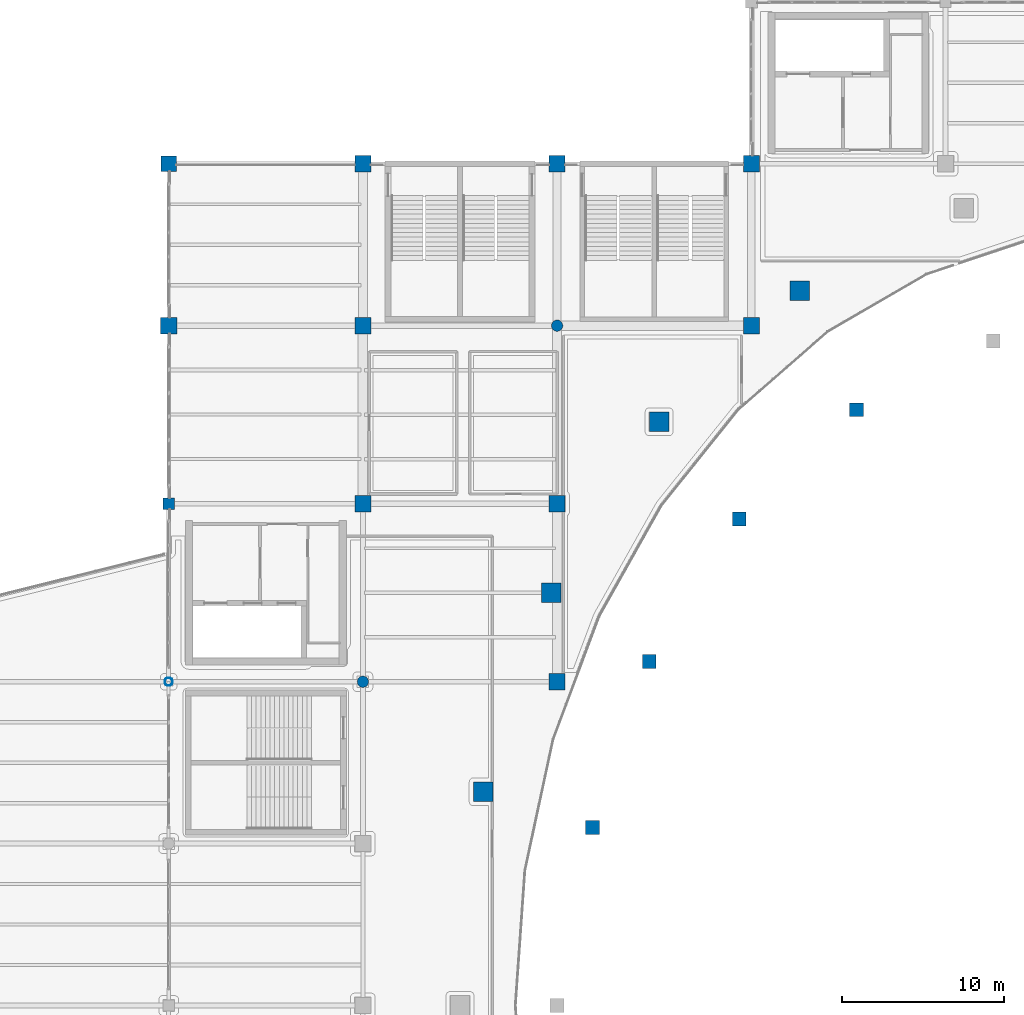
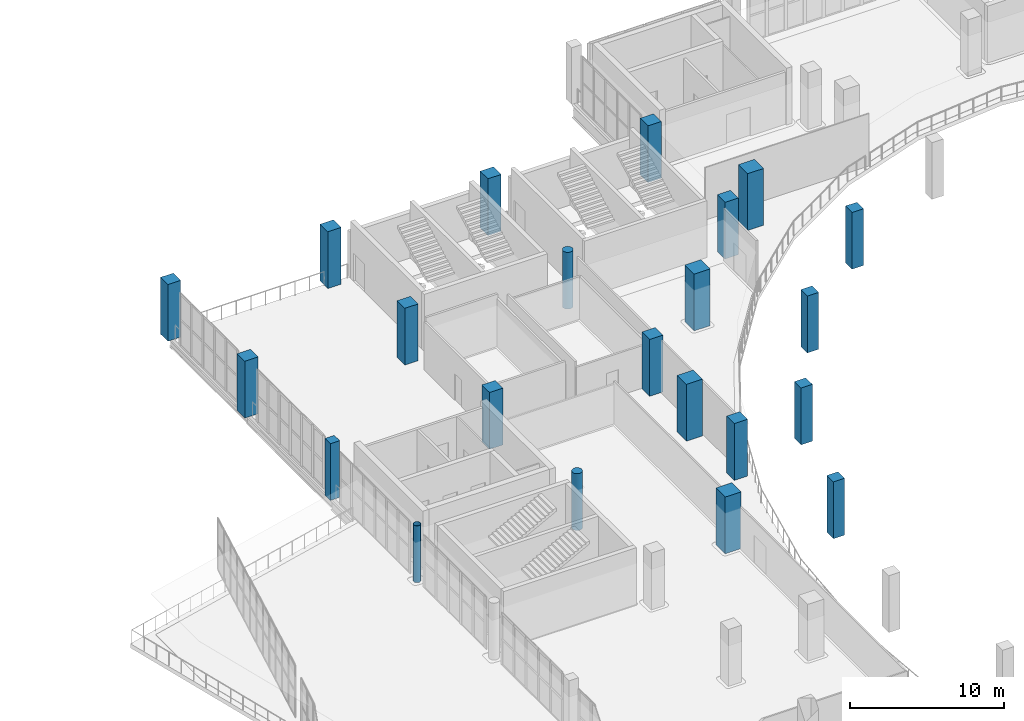
# One storey, part 6 of 108: 22 columns.
"""IFC4 building model written with IfcOpenShell, lengths in metres."""

from ifc_helpers import new_model, si_unit, direction, frame, origin, origin_2d, place, context, subcontext, project, spatial, rectangle, circle, hollow_circle, extrude, material, material_profile, profile_set, type_object, element, save


model = new_model("IFC4")

# Units and contexts
model_context = context("Model", 3, precision=1e-05, world=origin(), true_north=direction((0.0, 1.0)))
body_context = subcontext(model_context, "Body", "Model", "MODEL_VIEW")
ifc_project = project(units=[si_unit("LENGTHUNIT", "METRE"), si_unit("AREAUNIT", "SQUARE_METRE"), si_unit("VOLUMEUNIT", "CUBIC_METRE"), si_unit("PLANEANGLEUNIT", "RADIAN"), si_unit("MASSUNIT", "GRAM", prefix="KILO")], contexts=[model_context])

# Site, building, storey
site_placement = place(None, origin())
site = spatial("IfcSite", under=ifc_project, at=site_placement, CompositionType="ELEMENT")
building_placement = place(site_placement, origin())
building = spatial("IfcBuilding", under=site, at=building_placement, Name="Brinegate Civic Arena", CompositionType="ELEMENT")
storey_placement = place(building_placement, frame((0.0, 0.0, 10.199951171875)))
storey = spatial("IfcBuildingStorey", under=building, at=storey_placement, Name="L02", CompositionType="ELEMENT", Elevation=10.199951171875)

# Columns
ifc_material_1 = material(Name="Concrete C50/60", Category="concrete")
ifc_material_profile_1 = material_profile(ifc_material_1, rectangle(XDim=1.199951171875, YDim=1.199951171875, at=origin_2d()), Name="RC1200X1200")
ifc_profile_set_1 = profile_set([ifc_material_profile_1], Name="Concrete C50/60")
column_type_1 = type_object("IfcColumnType", Name="COL-CC01-1200", PredefinedType="COLUMN", material=ifc_profile_set_1)
for number, where, z_axis, x_axis, name in (
    (1, (87.0, 106.1669921875, 0.0), (0.0, 0.0, 1.0), (1.0, 0.0, 0.0), "Bowl Raker Column OUT-09-L02"),
    (2, (78.302001953125, 98.06201171875, 0.0), (0.0, 0.0, 1.0), (1.0, 0.0, 0.0), "Bowl Raker Column OUT-10-L02"),
    (3, (71.626953125, 87.5, 0.0), (0.0, 0.0, 1.0), (1.0, 0.0, 0.0), "Bowl Raker Column OUT-11-L02"),
    (4, (67.430908203125, 75.199951171875, 0.0), (0.0, 0.0, 1.0), (1.0, 0.0, 0.0), "Bowl Raker Column OUT-12-L02"),
):
    element("IfcColumn", number, at=place(storey_placement, frame(where, z_axis=z_axis, x_axis=x_axis)), inside=storey, type_object=column_type_1, Name=name, PredefinedType="COLUMN", context=body_context, shape_type="SweptSolid", body=[
        extrude(rectangle(XDim=1.199951171875, YDim=1.199951171875, at=origin_2d()), origin(), (0.0, 0.0, 1.0), 4.5),
    ])
ifc_material_profile_2 = material_profile(ifc_material_1, rectangle(XDim=1.0, YDim=1.0, at=origin_2d()), Name="RC1000X1000")
ifc_profile_set_2 = profile_set([ifc_material_profile_2], Name="Concrete C50/60")
column_type_2 = type_object("IfcColumnType", Name="COL-CC03-1000", PredefinedType="COLUMN", material=ifc_profile_set_2)
for number, where, z_axis, x_axis, name in (
    (5, (48.0, 104.0, 0.0), (0.0, 0.0, 1.0), (1.0, 0.0, 0.0), "Column COL-L02-5-L"),
    (6, (60.0, 93.0, 0.0), (0.0, 0.0, 1.0), (1.0, 0.0, 0.0), "Column COL-L02-6-K"),
    (7, (60.0, 104.0, 0.0), (0.0, 0.0, 1.0), (1.0, 0.0, 0.0), "Column COL-L02-6-L"),
    (8, (60.0, 114.0, 0.0), (0.0, 0.0, 1.0), (1.0, 0.0, 0.0), "Column COL-L02-6-M"),
    (9, (72.0, 82.0, 0.0), (0.0, 0.0, 1.0), (1.0, 0.0, 0.0), "Column COL-L02-7-J"),
    (10, (72.0, 93.0, 0.0), (0.0, 0.0, 1.0), (1.0, 0.0, 0.0), "Column COL-L02-7-K"),
    (11, (72.0, 114.0, 0.0), (0.0, 0.0, 1.0), (1.0, 0.0, 0.0), "Column COL-L02-7-M"),
    (12, (84.0, 104.0, 0.0), (0.0, 0.0, 1.0), (1.0, 0.0, 0.0), "Column COL-L02-8-L"),
    (13, (84.0, 114.0, 0.0), (0.0, 0.0, 1.0), (1.0, 0.0, 0.0), "Column COL-L02-8-M"),
):
    element("IfcColumn", number, at=place(storey_placement, frame(where, z_axis=z_axis, x_axis=x_axis)), inside=storey, type_object=column_type_2, Name=name, PredefinedType="COLUMN", context=body_context, shape_type="SweptSolid", body=[
        extrude(rectangle(XDim=1.0, YDim=1.0, at=origin_2d()), origin(), (0.0, 0.0, 1.0), 4.5),
    ])
ifc_material_profile_3 = material_profile(ifc_material_1, rectangle(XDim=0.949951171875, YDim=0.949951171875, at=origin_2d()), Name="RC950X950")
ifc_profile_set_3 = profile_set([ifc_material_profile_3], Name="Concrete C50/60")
column_type_3 = type_object("IfcColumnType", Name="COL-CC04-950", PredefinedType="COLUMN", material=ifc_profile_set_3)
column_1_placement = place(storey_placement, frame((48.0, 114.0, 0.0), z_axis=(0.0, 0.0, 1.0), x_axis=(1.0, 0.0, 0.0)))
element("IfcColumn", 14, at=column_1_placement, inside=storey, type_object=column_type_3, Name="Column COL-L02-5-M", PredefinedType="COLUMN", context=body_context, shape_type="SweptSolid", body=[
    extrude(rectangle(XDim=0.949951171875, YDim=0.949951171875, at=origin_2d()), origin(), (0.0, 0.0, 1.0), 4.5),
])
ifc_material_profile_4 = material_profile(ifc_material_1, rectangle(XDim=0.85009765625, YDim=0.85009765625, at=origin_2d()), Name="RC850X850")
ifc_profile_set_4 = profile_set([ifc_material_profile_4], Name="Concrete C50/60")
column_type_4 = type_object("IfcColumnType", Name="COL-CC06-850", PredefinedType="COLUMN", material=ifc_profile_set_4)
for number, where, z_axis, x_axis, name in (
    (15, (90.5, 98.805908203125, 0.0), (0.0, 0.0, 1.0), (1.0, 0.0, 0.0), "Upper Raker Inner Column UIN-09-L02"),
    (16, (83.2509765625, 92.052001953125, 0.0), (0.0, 0.0, 1.0), (1.0, 0.0, 0.0), "Upper Raker Inner Column UIN-10-L02"),
    (17, (77.68896484375, 83.25, 0.0), (0.0, 0.0, 1.0), (1.0, 0.0, 0.0), "Upper Raker Inner Column UIN-11-L02"),
    (18, (74.193115234375, 73.0, 0.0), (0.0, 0.0, 1.0), (1.0, 0.0, 0.0), "Upper Raker Inner Column UIN-12-L02"),
):
    element("IfcColumn", number, at=place(storey_placement, frame(where, z_axis=z_axis, x_axis=x_axis)), inside=storey, type_object=column_type_4, Name=name, PredefinedType="COLUMN", context=body_context, shape_type="SweptSolid", body=[
        extrude(rectangle(XDim=0.85009765625, YDim=0.85009765625, at=origin_2d()), origin(), (0.0, 0.0, 1.0), 4.5),
    ])
ifc_material_profile_5 = material_profile(ifc_material_1, rectangle(XDim=0.699951171875, YDim=0.699951171875, at=origin_2d()), Name="RC700X700")
ifc_profile_set_5 = profile_set([ifc_material_profile_5], Name="Concrete C50/60")
column_type_5 = type_object("IfcColumnType", Name="COL-CC09-700", PredefinedType="COLUMN", material=ifc_profile_set_5)
column_2_placement = place(storey_placement, frame((48.0, 93.0, 0.0), z_axis=(0.0, 0.0, 1.0), x_axis=(1.0, 0.0, 0.0)))
element("IfcColumn", 19, at=column_2_placement, inside=storey, type_object=column_type_5, Name="Column COL-L02-5-K", PredefinedType="COLUMN", context=body_context, shape_type="SweptSolid", body=[
    extrude(rectangle(XDim=0.699951171875, YDim=0.699951171875, at=origin_2d()), origin(), (0.0, 0.0, 1.0), 4.5),
])
ifc_material_profile_6 = material_profile(ifc_material_1, circle(Radius=0.35009765625, at=origin_2d()), Name="RCD700")
ifc_profile_set_6 = profile_set([ifc_material_profile_6], Name="Concrete C50/60")
column_type_6 = type_object("IfcColumnType", Name="COL-CC14-D700", PredefinedType="COLUMN", material=ifc_profile_set_6)
for number, where, z_axis, x_axis, name in (
    (20, (60.0, 82.0, 0.0), (0.0, 0.0, 1.0), (1.0, 0.0, 0.0), "Column COL-L02-6-J"),
    (21, (72.0, 104.0, 0.0), (0.0, 0.0, 1.0), (1.0, 0.0, 0.0), "Column COL-L02-7-L"),
):
    element("IfcColumn", number, at=place(storey_placement, frame(where, z_axis=z_axis, x_axis=x_axis)), inside=storey, type_object=column_type_6, Name=name, PredefinedType="COLUMN", context=body_context, shape_type="SweptSolid", body=[
        extrude(circle(Radius=0.35009765625, at=origin_2d()), origin(), (0.0, 0.0, 1.0), 4.5),
    ])
ifc_material_2 = material(Name="Steel S355", Category="steel")
ifc_material_profile_7 = material_profile(ifc_material_2, hollow_circle(Radius=0.25390625, WallThickness=0.02001953125, at=origin_2d()), Name="CHS508X20")
ifc_profile_set_7 = profile_set([ifc_material_profile_7], Name="Steel S355")
column_type_7 = type_object("IfcColumnType", Name="COL-SC06-CHS508", PredefinedType="COLUMN", material=ifc_profile_set_7)
column_3_placement = place(storey_placement, frame((48.0, 82.0, 0.0), z_axis=(0.0, 0.0, 1.0), x_axis=(1.0, 0.0, 0.0)))
element("IfcColumn", 22, at=column_3_placement, inside=storey, type_object=column_type_7, Name="Column COL-L02-5-J", PredefinedType="COLUMN", context=body_context, shape_type="SweptSolid", body=[
    extrude(hollow_circle(Radius=0.25390625, WallThickness=0.02001953125, at=origin_2d()), origin(), (0.0, 0.0, 1.0), 4.5),
])

save(model, "model.ifc")
